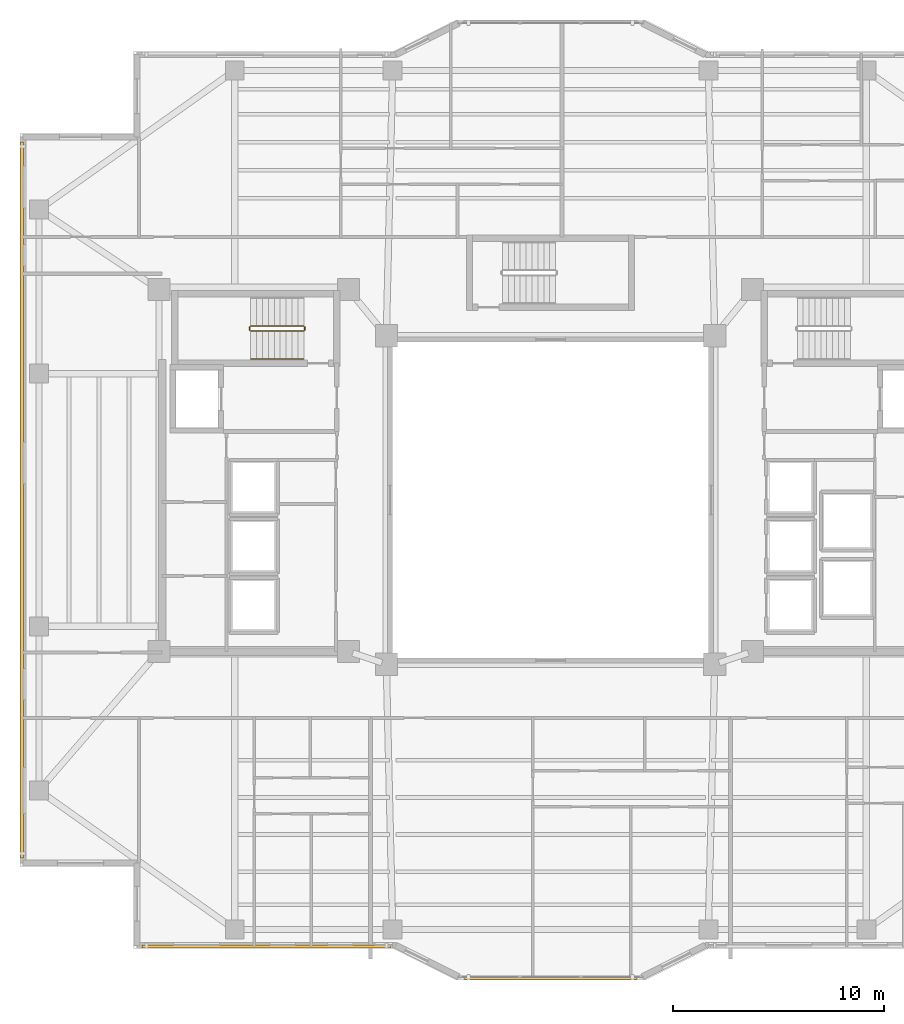
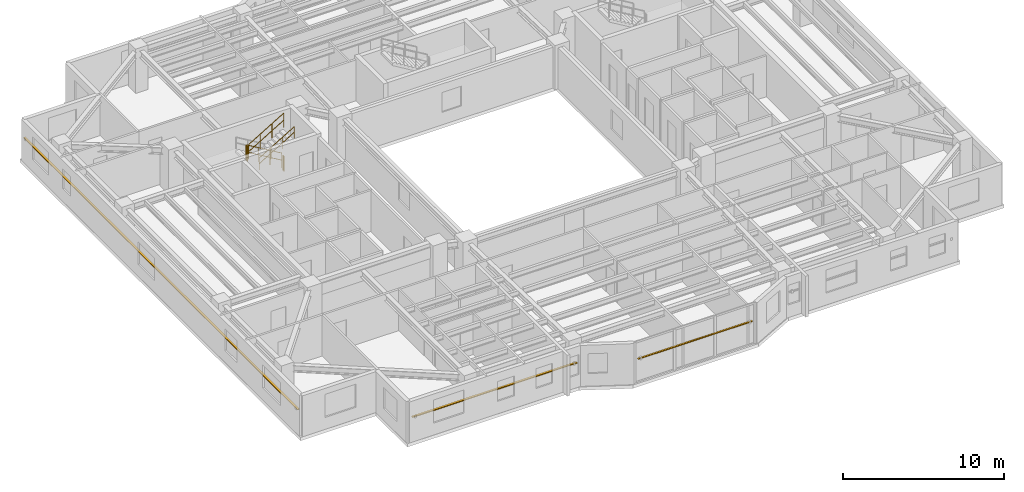
# One storey, part 13 of 15: 5 railings, 3 shading devices.
"""IFC4 building model written with IfcOpenShell, lengths in metres."""

from ifc_helpers import new_model, si_unit, direction, frame, origin, origin_2d, place, context, subcontext, project, spatial, rectangle, circle, extrude, material, material_profile, profile_set, type_object, element, save


model = new_model("IFC4")

# Units and contexts
model_context = context("Model", 3, precision=1e-05, world=origin(), true_north=direction((0.0, 1.0)))
body_context = subcontext(model_context, "Body", "Model", "MODEL_VIEW")
ifc_project = project(units=[si_unit("LENGTHUNIT", "METRE"), si_unit("AREAUNIT", "SQUARE_METRE"), si_unit("VOLUMEUNIT", "CUBIC_METRE"), si_unit("PLANEANGLEUNIT", "RADIAN"), si_unit("MASSUNIT", "GRAM", prefix="KILO")], contexts=[model_context])

# Site, building, storey
site_placement = place(None, origin())
site = spatial("IfcSite", under=ifc_project, at=site_placement, CompositionType="ELEMENT")
building_placement = place(site_placement, origin())
building = spatial("IfcBuilding", under=site, at=building_placement, Name="Tarnavaz Court Tower", CompositionType="ELEMENT")
storey_placement = place(building_placement, frame((0.0, 0.0, 162.75)))
storey = spatial("IfcBuildingStorey", under=building, at=storey_placement, Name="L44", CompositionType="ELEMENT", Elevation=162.75)

# Railings
ifc_material_1 = material(Name="Brushed Stainless Steel", Category="steel")
railing_type_1 = type_object("IfcRailingType", Name="RL-HANDRAIL-900", PredefinedType="HANDRAIL", material=ifc_material_1)
railing_1_placement = place(storey_placement, frame((-14.239990234375, 6.699951171875, 1.842529296875)))
element("IfcRailing", 1, at=railing_1_placement, inside=storey, type_object=railing_type_1, Name="L44 ST-W1 stair handrail 2", PredefinedType="HANDRAIL", context=body_context, shape_type="SweptSolid", body=[
    extrude(circle(Radius=0.02392578125, at=origin_2d()), frame((0.0, 0.0, 0.8759765625), z_axis=(0.858159760407, 0.0, 0.513382728203), x_axis=(0.0, 1.0, 0.0)), (0.0, 0.0, 1.0), 2.9365234375),
    extrude(circle(Radius=0.02392578125, at=origin_2d()), frame((0.0, 0.0, 0.449951171875), z_axis=(0.858159760407, 0.0, 0.513382728203), x_axis=(0.0, 1.0, 0.0)), (0.0, 0.0, 1.0), 2.9365234375),
    extrude(circle(Radius=0.02099609375, at=origin_2d()), origin(), (0.0, 0.0, 1.0), 0.851806640625),
    extrude(circle(Radius=0.02099609375, at=origin_2d()), frame((0.840087890625, 0.0, 0.50244140625)), (0.0, 0.0, 1.0), 0.851806640625),
    extrude(circle(Radius=0.02099609375, at=origin_2d()), frame((1.679931640625, 0.0, 1.005126953125)), (0.0, 0.0, 1.0), 0.851806640625),
    extrude(circle(Radius=0.02099609375, at=origin_2d()), frame((2.52001953125, 0.0, 1.507568359375)), (0.0, 0.0, 1.0), 0.851806640625),
])
ifc_material_2 = material(Name="Galvanized Painted Tubular Steel", Category="steel")
railing_type_2 = type_object("IfcRailingType", Name="RL-STGUARD-1120", PredefinedType="GUARDRAIL", material=ifc_material_2)
railing_2_placement = place(storey_placement, frame((-11.719970703125, 8.27001953125, 0.16748046875)))
element("IfcRailing", 2, at=railing_2_placement, inside=storey, type_object=railing_type_2, Name="L44 ST-W1 stair guard 1", PredefinedType="GUARDRAIL", context=body_context, shape_type="SweptSolid", body=[
    extrude(circle(Radius=0.02392578125, at=origin_2d()), frame((0.0, 0.0, 1.09619140625), z_axis=(-0.858159760407, 0.0, 0.513382728203), x_axis=(0.0, -1.0, 0.0)), (0.0, 0.0, 1.0), 2.9365234375),
    extrude(circle(Radius=0.02392578125, at=origin_2d()), frame((0.0, 0.0, 0.56005859375), z_axis=(-0.858159760407, 0.0, 0.513382728203), x_axis=(0.0, -1.0, 0.0)), (0.0, 0.0, 1.0), 2.9365234375),
    extrude(circle(Radius=0.02099609375, at=origin_2d()), origin(), (0.0, 0.0, 1.0), 1.072021484375),
    extrude(circle(Radius=0.02099609375, at=origin_2d()), frame((-0.840087890625, 0.0, 0.50244140625)), (0.0, 0.0, 1.0), 1.072021484375),
    extrude(circle(Radius=0.02099609375, at=origin_2d()), frame((-1.679931640625, 0.0, 1.005126953125)), (0.0, 0.0, 1.0), 1.072021484375),
    extrude(circle(Radius=0.02099609375, at=origin_2d()), frame((-2.52001953125, 0.0, 1.507568359375)), (0.0, 0.0, 1.0), 1.072021484375),
])
railing_3_placement = place(storey_placement, frame((-14.2900390625, 8.219970703125, 1.675048828125)))
element("IfcRailing", 3, at=railing_3_placement, inside=storey, type_object=railing_type_2, Name="L44 ST-W1 stair guard 2", PredefinedType="GUARDRAIL", context=body_context, shape_type="SweptSolid", body=[
    extrude(circle(Radius=0.02392578125, at=origin_2d()), frame((0.0, 0.0, 1.09619140625), z_axis=(0.0, -1.0, 0.0), x_axis=(1.0, 0.0, 0.0)), (0.0, 0.0, 1.0), 0.14990234375),
    extrude(circle(Radius=0.02392578125, at=origin_2d()), frame((0.0, 0.0, 0.56005859375), z_axis=(0.0, -1.0, 0.0), x_axis=(1.0, 0.0, 0.0)), (0.0, 0.0, 1.0), 0.14990234375),
    extrude(circle(Radius=0.02099609375, at=origin_2d()), origin(), (0.0, 0.0, 1.0), 1.072021484375),
    extrude(circle(Radius=0.02099609375, at=origin_2d()), frame((0.0, -0.14990234375, 0.0)), (0.0, 0.0, 1.0), 1.072021484375),
])
railing_4_placement = place(storey_placement, frame((-14.239990234375, 8.02001953125, 1.842529296875)))
element("IfcRailing", 4, at=railing_4_placement, inside=storey, type_object=railing_type_2, Name="L44 ST-W1 stair guard 3", PredefinedType="GUARDRAIL", context=body_context, shape_type="SweptSolid", body=[
    extrude(circle(Radius=0.02392578125, at=origin_2d()), frame((0.0, 0.0, 1.09619140625), z_axis=(0.858159760407, 0.0, 0.513382728203), x_axis=(0.0, 1.0, 0.0)), (0.0, 0.0, 1.0), 2.9365234375),
    extrude(circle(Radius=0.02392578125, at=origin_2d()), frame((0.0, 0.0, 0.56005859375), z_axis=(0.858159760407, 0.0, 0.513382728203), x_axis=(0.0, 1.0, 0.0)), (0.0, 0.0, 1.0), 2.9365234375),
    extrude(circle(Radius=0.02099609375, at=origin_2d()), origin(), (0.0, 0.0, 1.0), 1.072021484375),
    extrude(circle(Radius=0.02099609375, at=origin_2d()), frame((0.840087890625, 0.0, 0.50244140625)), (0.0, 0.0, 1.0), 1.072021484375),
    extrude(circle(Radius=0.02099609375, at=origin_2d()), frame((1.679931640625, 0.0, 1.005126953125)), (0.0, 0.0, 1.0), 1.072021484375),
    extrude(circle(Radius=0.02099609375, at=origin_2d()), frame((2.52001953125, 0.0, 1.507568359375)), (0.0, 0.0, 1.0), 1.072021484375),
])
railing_5_placement = place(storey_placement, frame((-11.669921875, 8.219970703125, 0.0)))
element("IfcRailing", 5, at=railing_5_placement, inside=storey, type_object=railing_type_2, Name="L44 ST-W1 stair guard 4", PredefinedType="GUARDRAIL", context=body_context, shape_type="SweptSolid", body=[
    extrude(circle(Radius=0.02392578125, at=origin_2d()), frame((0.0, 0.0, 1.09619140625), z_axis=(0.0, -1.0, 0.0), x_axis=(1.0, 0.0, 0.0)), (0.0, 0.0, 1.0), 0.14990234375),
    extrude(circle(Radius=0.02392578125, at=origin_2d()), frame((0.0, 0.0, 0.56005859375), z_axis=(0.0, -1.0, 0.0), x_axis=(1.0, 0.0, 0.0)), (0.0, 0.0, 1.0), 0.14990234375),
    extrude(circle(Radius=0.02099609375, at=origin_2d()), origin(), (0.0, 0.0, 1.0), 1.072021484375),
    extrude(circle(Radius=0.02099609375, at=origin_2d()), frame((0.0, -0.14990234375, 0.0)), (0.0, 0.0, 1.0), 1.072021484375),
])

# Shading devices
ifc_material_3 = material(Name="Kiln-Fired Khorasan Terracotta Ceramic", Category="masonry")
ifc_material_profile_1 = material_profile(ifc_material_3, rectangle(XDim=0.1201171875, YDim=0.06005859375, at=origin_2d()), Name="TC BAGUETTE 120X60")
ifc_profile_set_1 = profile_set([ifc_material_profile_1], Name="Kiln-Fired Khorasan Terracotta Ceramic")
shading_device_type_1 = type_object("IfcShadingDeviceType", Name="SD-BAG-120", PredefinedType="USERDEFINED", material=ifc_profile_set_1)
shading_device_1_placement = place(storey_placement, frame((4.10009765625, -22.7099609375, 1.800048828125), z_axis=(-1.0, 0.0, 0.0), x_axis=(0.0, -1.0, 0.0)))
element("IfcShadingDevice", 6, at=shading_device_1_placement, inside=storey, type_object=shading_device_type_1, Name="L44 Terracotta Baguette Screen PBG17", ObjectType="BAGUETTE", PredefinedType="USERDEFINED", context=body_context, shape_type="SweptSolid", body=[
    extrude(rectangle(XDim=0.1201171875, YDim=0.06005859375, at=origin_2d()), origin(), (0.0, 0.0, 1.0), 8.2001953125),
])
ifc_material_profile_2 = material_profile(ifc_material_3, rectangle(XDim=0.14990234375, YDim=0.06494140625, at=origin_2d()), Name="TC BAGUETTE 150X65")
ifc_profile_set_2 = profile_set([ifc_material_profile_2], Name="Kiln-Fired Khorasan Terracotta Ceramic")
shading_device_type_2 = type_object("IfcShadingDeviceType", Name="SD-BAG-150", PredefinedType="USERDEFINED", material=ifc_profile_set_2)
shading_device_2_placement = place(storey_placement, frame((-25.110107421875, -17.0, 1.85009765625), z_axis=(0.0, 1.0, 0.0), x_axis=(-1.0, 0.0, 0.0)))
element("IfcShadingDevice", 7, at=shading_device_2_placement, inside=storey, type_object=shading_device_type_2, Name="L44 Terracotta Baguette Screen FBG02", ObjectType="BAGUETTE", PredefinedType="USERDEFINED", context=body_context, shape_type="SweptSolid", body=[
    extrude(rectangle(XDim=0.14990234375, YDim=0.06494140625, at=origin_2d()), origin(), (0.0, 0.0, 1.0), 34.0),
])
shading_device_3_placement = place(storey_placement, frame((-7.60009765625, -21.2099609375, 1.85009765625), z_axis=(-1.0, 0.0, 0.0), x_axis=(0.0, -1.0, 0.0)))
element("IfcShadingDevice", 8, at=shading_device_3_placement, inside=storey, type_object=shading_device_type_2, Name="L44 Terracotta Baguette Screen FBG19", ObjectType="BAGUETTE", PredefinedType="USERDEFINED", context=body_context, shape_type="SweptSolid", body=[
    extrude(rectangle(XDim=0.14990234375, YDim=0.06494140625, at=origin_2d()), origin(), (0.0, 0.0, 1.0), 11.7998046875),
])

save(model, "model.ifc")
